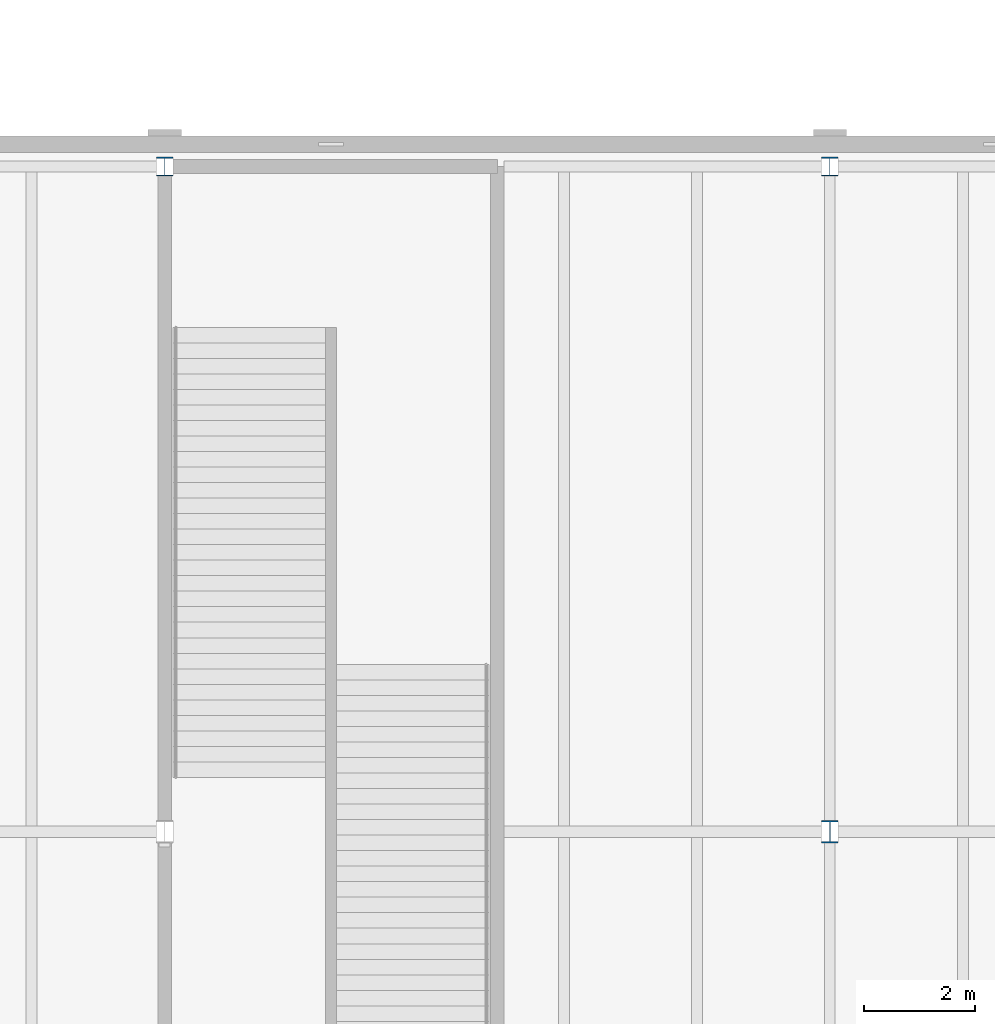
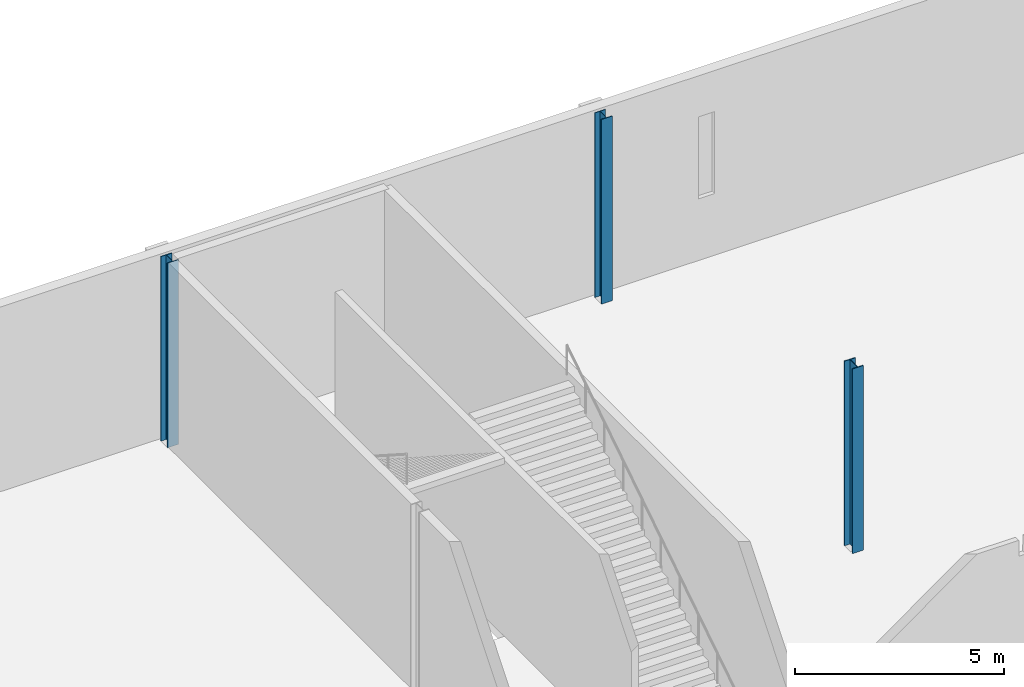
# One storey, part 13 of 170: 3 columns.
"""IFC4 building model written with IfcOpenShell, lengths in metres."""

from ifc_helpers import new_model, si_unit, direction, frame, origin, origin_2d, place, context, subcontext, project, spatial, i_section, extrude, material, material_profile, profile_set, type_object, element, save


model = new_model("IFC4")

# Units and contexts
model_context = context("Model", 3, precision=1e-05, world=origin(), true_north=direction((0.0, 1.0)))
body_context = subcontext(model_context, "Body", "Model", "MODEL_VIEW")
ifc_project = project(units=[si_unit("LENGTHUNIT", "METRE"), si_unit("AREAUNIT", "SQUARE_METRE"), si_unit("VOLUMEUNIT", "CUBIC_METRE"), si_unit("PLANEANGLEUNIT", "RADIAN"), si_unit("MASSUNIT", "GRAM", prefix="KILO")], contexts=[model_context])

# Site, building, storey
site_placement = place(None, origin())
site = spatial("IfcSite", under=ifc_project, at=site_placement, CompositionType="ELEMENT")
building_placement = place(site_placement, origin())
building = spatial("IfcBuilding", under=site, at=building_placement, Name="Ravi Spectrum Wholesale Market", CompositionType="ELEMENT")
storey_placement = place(building_placement, frame((0.0, 0.0, 5.39990234375)))
storey = spatial("IfcBuildingStorey", under=building, at=storey_placement, Name="L01", CompositionType="ELEMENT", Elevation=5.39990234375)

# Columns
ifc_material_1 = material(Name="Steel S355", Category="steel")
ifc_material_profile_1 = material_profile(ifc_material_1, i_section(OverallWidth=0.300048828125, OverallDepth=0.340087890625, WebThickness=0.011962890625, FlangeThickness=0.021484375, at=origin_2d()))
ifc_profile_set_1 = profile_set([ifc_material_profile_1], Name="Steel S355")
column_type_1 = type_object("IfcColumnType", Name="HEB 340 column", PredefinedType="COLUMN", material=ifc_profile_set_1)
for number, where, z_axis, x_axis, name in (
    (1, (246.0, 66.0, 0.0), (0.0, 0.0, 1.0), (1.0, 0.0, 0.0), "CS-COL-L01-025"),
    (2, (258.0, 66.0, 0.0), (0.0, 0.0, 1.0), (1.0, 0.0, 0.0), "CS-COL-L01-030"),
):
    element("IfcColumn", number, at=place(storey_placement, frame(where, z_axis=z_axis, x_axis=x_axis)), inside=storey, type_object=column_type_1, Name=name, PredefinedType="COLUMN", context=body_context, shape_type="SweptSolid", body=[
        extrude(i_section(OverallWidth=0.300048828125, OverallDepth=0.340087890625, WebThickness=0.011962890625, FlangeThickness=0.021484375, at=origin_2d()), origin(), (0.0, 0.0, 1.0), 5.400146484375),
    ])
ifc_material_2 = material(Name="Steel S355", Category="steel")
ifc_material_profile_2 = material_profile(ifc_material_2, i_section(OverallWidth=0.300048828125, OverallDepth=0.39990234375, WebThickness=0.013427734375, FlangeThickness=0.02392578125, at=origin_2d()))
ifc_profile_set_2 = profile_set([ifc_material_profile_2], Name="Steel S355")
column_type_2 = type_object("IfcColumnType", Name="HEB 400 column", PredefinedType="COLUMN", material=ifc_profile_set_2)
column_placement = place(storey_placement, frame((258.0, 54.0, 0.0), z_axis=(0.0, 0.0, 1.0), x_axis=(1.0, 0.0, 0.0)))
element("IfcColumn", 3, at=column_placement, inside=storey, type_object=column_type_2, Name="CS-COL-L01-029", PredefinedType="COLUMN", context=body_context, shape_type="SweptSolid", body=[
    extrude(i_section(OverallWidth=0.300048828125, OverallDepth=0.39990234375, WebThickness=0.013427734375, FlangeThickness=0.02392578125, at=origin_2d()), origin(), (0.0, 0.0, 1.0), 5.400146484375),
])

save(model, "model.ifc")
